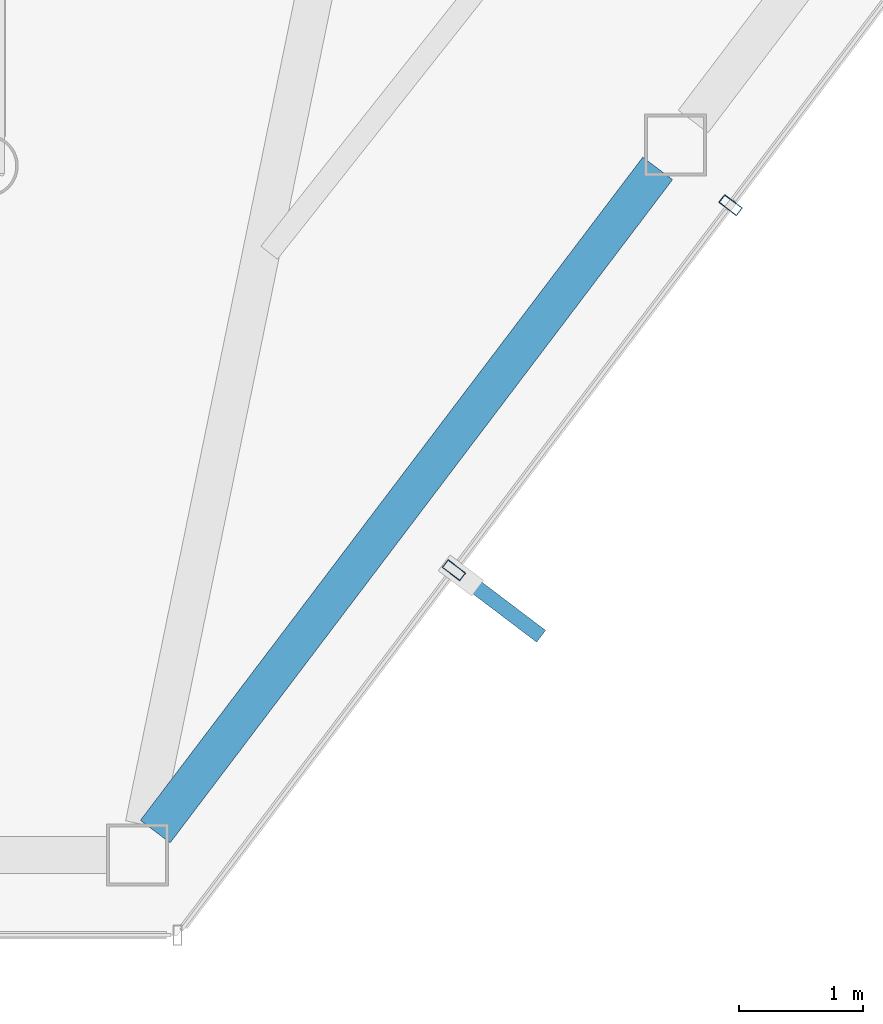
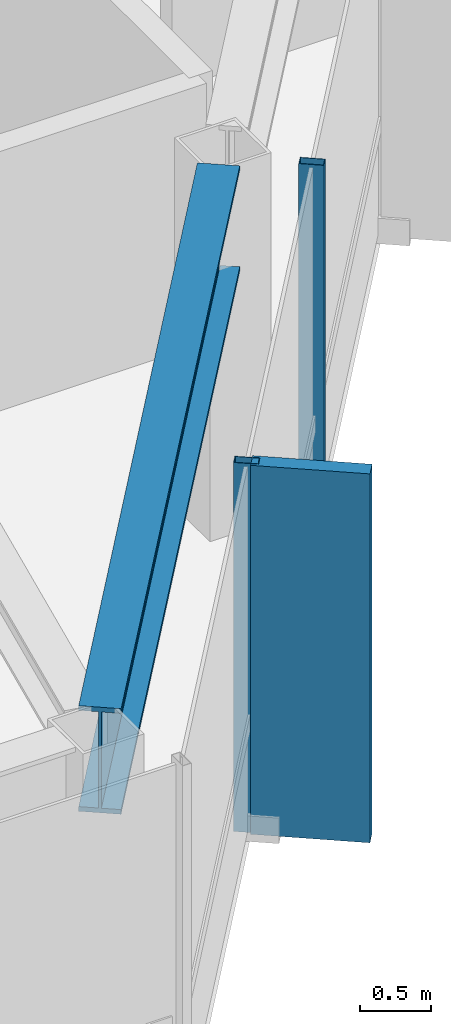
# One storey, part 6 of 25: 3 members, 1 beam, 1 element without a shape of its own.
"""IFC4 building model written with IfcOpenShell, lengths in metres."""

from ifc_helpers import new_model, si_unit, direction, frame, origin, origin_2d, place, context, subcontext, project, spatial, rectangle, hollow_rectangle, i_section, extrude, material, layer, layer_set, material_profile, profile_set, type_object, element, aggregate, save


model = new_model("IFC4")

# Units and contexts
model_context = context("Model", 3, precision=1e-05, world=origin(), true_north=direction((0.0, 1.0)))
body_context = subcontext(model_context, "Body", "Model", "MODEL_VIEW")
ifc_project = project(units=[si_unit("LENGTHUNIT", "METRE"), si_unit("AREAUNIT", "SQUARE_METRE"), si_unit("VOLUMEUNIT", "CUBIC_METRE"), si_unit("PLANEANGLEUNIT", "RADIAN"), si_unit("MASSUNIT", "GRAM", prefix="KILO")], contexts=[model_context])

# Site, building, storey
site_placement = place(None, origin())
site = spatial("IfcSite", under=ifc_project, at=site_placement, CompositionType="ELEMENT")
building_placement = place(site_placement, origin())
building = spatial("IfcBuilding", under=site, at=building_placement, Name="Zarrinselat Tower", CompositionType="ELEMENT")
storey_placement = place(building_placement, frame((0.0, 0.0, 261.800048828125)))
storey = spatial("IfcBuildingStorey", under=building, at=storey_placement, Name="L66", CompositionType="ELEMENT", Elevation=261.800048828125)

# Beam
ifc_material_1 = material(Name="Steel S460M", Category="steel")
ifc_material_profile_1 = material_profile(ifc_material_1, i_section(OverallWidth=0.302001953125, OverallDepth=0.909912109375, WebThickness=0.02099609375, FlangeThickness=0.0400390625, at=origin_2d()), Name="HEM 900")
ifc_profile_set_1 = profile_set([ifc_material_profile_1], Name="Steel S460M")
beam_type = type_object("IfcBeamType", Name="BM-HEM900", PredefinedType="BEAM", material=ifc_profile_set_1)
beam_placement = place(storey_placement, frame((43.163330078125, 19.810791015625, 2.724853515625), z_axis=(0.603861177265, 0.797089504756, 0.0), x_axis=(-0.797089504756, 0.603861177265, 0.0)))
element("IfcBeam", 1, at=beam_placement, inside=storey, type_object=beam_type, Name="L66 Perimeter Spandrel Girder SP11", PredefinedType="BEAM", context=body_context, shape_type="SweptSolid", body=[
    extrude(i_section(OverallWidth=0.302001953125, OverallDepth=0.909912109375, WebThickness=0.02099609375, FlangeThickness=0.0400390625, at=origin_2d()), origin(), (0.0, 0.0, 1.0), 6.735595703125),
])

# Curtain wall, members
ifc_material_2 = material(Name="Extruded Aluminium Alloy EN AW-6063 T6", Category="aluminium")
ifc_layer = layer(ifc_material_2, 0.199951171875)
ifc_layer_set = layer_set([ifc_layer], Name="Extruded Aluminium Alloy EN AW-6063 T6")
curtain_wall_type = type_object("IfcCurtainWallType", Name="CWS-BLADE", PredefinedType="NOTDEFINED", material=ifc_layer_set)
curtain_wall_placement = place(storey_placement, origin())
curtain_wall = element("IfcCurtainWall", 2, at=curtain_wall_placement, inside=storey, type_object=curtain_wall_type, Name="L66 Unitised Curtain Wall CW-L66-E05", PredefinedType="NOTDEFINED")
ifc_material_3 = material(Name="Extruded Aluminium Alloy EN AW-6063 T6", Category="aluminium")
ifc_material_profile_2 = material_profile(ifc_material_3, hollow_rectangle(XDim=0.080078125, YDim=0.179931640625, WallThickness=0.0048828125, at=origin_2d()), Name="RHS 180x80x5")
ifc_profile_set_2 = profile_set([ifc_material_profile_2], Name="Extruded Aluminium Alloy EN AW-6063 T6")
member_type_1 = type_object("IfcMemberType", Name="MEM-CW-MUL", PredefinedType="MULLION", material=ifc_profile_set_2)
member_1_placement = place(storey_placement, frame((45.58154296875, 21.926513671875, 0.0), z_axis=(0.0, 0.0, 1.0), x_axis=(0.603859570382, 0.7970907221, 0.0)))
member_1 = element("IfcMember", 3, at=member_1_placement, type_object=member_type_1, Name="CW-L66-E05 Mullion 1", PredefinedType="MULLION", context=body_context, shape_type="SweptSolid", body=[
    extrude(hollow_rectangle(XDim=0.080078125, YDim=0.179931640625, WallThickness=0.0048828125, at=origin_2d()), origin(), (0.0, 0.0, 1.0), 3.179931640625),
])
member_2_placement = place(storey_placement, frame((47.820556640625, 24.8818359375, 0.0), z_axis=(0.0, 0.0, 1.0), x_axis=(0.603859570382, 0.7970907221, 0.0)))
member_2 = element("IfcMember", 4, at=member_2_placement, type_object=member_type_1, Name="CW-L66-E05 Mullion 2", PredefinedType="MULLION", context=body_context, shape_type="SweptSolid", body=[
    extrude(hollow_rectangle(XDim=0.080078125, YDim=0.179931640625, WallThickness=0.0048828125, at=origin_2d()), origin(), (0.0, 0.0, 1.0), 3.179931640625),
])
ifc_material_4 = material(Name="Honed Cream Travertine Stone", Category="masonry")
ifc_material_profile_3 = material_profile(ifc_material_4, rectangle(XDim=0.1201171875, YDim=0.85009765625, at=origin_2d()), Name="FIN 850x120")
ifc_profile_set_3 = profile_set([ifc_material_profile_3], Name="Honed Cream Travertine Stone")
member_type_2 = type_object("IfcMemberType", Name="MEM-STONE-FIN", PredefinedType="USERDEFINED", material=ifc_profile_set_3)
member_3_placement = place(storey_placement, frame((45.9482421875, 21.648681640625, 0.0), z_axis=(0.0, 0.0, 1.0), x_axis=(-0.603859570382, -0.7970907221, 0.0)))
member_3 = element("IfcMember", 5, at=member_3_placement, type_object=member_type_2, Name="L66 Stone Shading Fin CW-L66-E05-01", ObjectType="FIN", PredefinedType="USERDEFINED", context=body_context, shape_type="SweptSolid", body=[
    extrude(rectangle(XDim=0.1201171875, YDim=0.85009765625, at=origin_2d()), origin(), (0.0, 0.0, 1.0), 3.179931640625),
])
aggregate(curtain_wall, [member_1, member_3, member_2])

save(model, "model.ifc")
